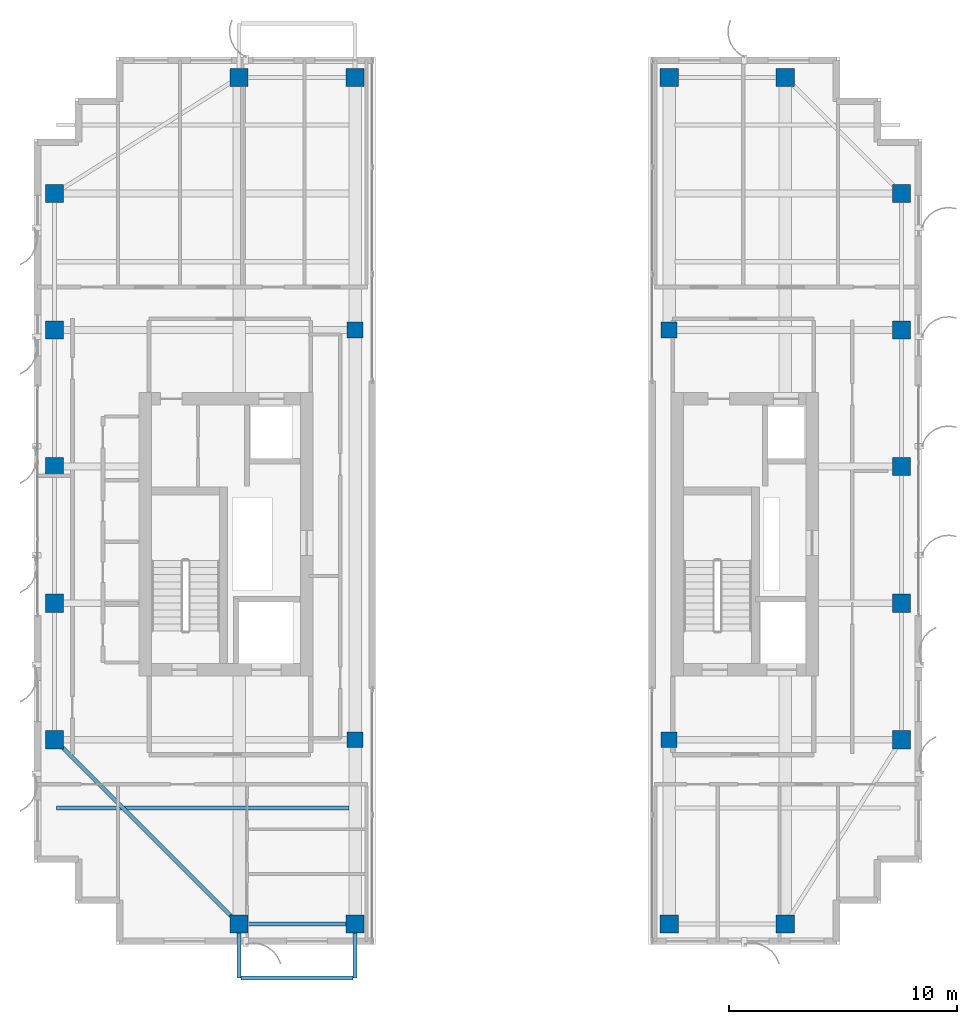
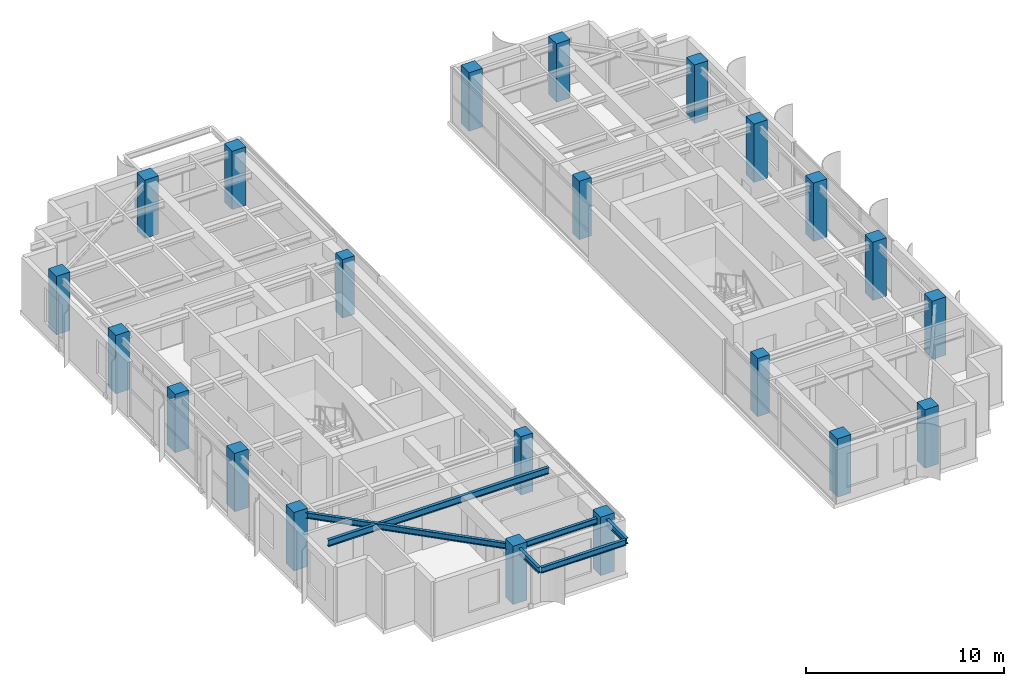
# One storey, part 1 of 22: 22 columns, 6 beams.
"""IFC4 building model written with IfcOpenShell, lengths in metres."""

from ifc_helpers import new_model, si_unit, direction, frame, origin, origin_2d, place, context, subcontext, project, spatial, rectangle, i_section, extrude, source, transform, mapped, material, material_profile, profile_set, type_object, element, save


model = new_model("IFC4")

# Units and contexts
model_context = context("Model", 3, precision=1e-05, world=origin(), true_north=direction((0.0, 1.0)))
body_context = subcontext(model_context, "Body", "Model", "MODEL_VIEW")
ifc_project = project(units=[si_unit("LENGTHUNIT", "METRE"), si_unit("AREAUNIT", "SQUARE_METRE"), si_unit("VOLUMEUNIT", "CUBIC_METRE"), si_unit("PLANEANGLEUNIT", "RADIAN"), si_unit("MASSUNIT", "GRAM", prefix="KILO")], contexts=[model_context])

# Site, building, storey
site_placement = place(None, origin())
site = spatial("IfcSite", under=ifc_project, at=site_placement, CompositionType="ELEMENT")
building_placement = place(site_placement, origin())
building = spatial("IfcBuilding", under=site, at=building_placement, Name="Khoralis Quay Care Tower", CompositionType="ELEMENT")
storey_placement = place(building_placement, frame((0.0, 0.0, 256.5)))
storey = spatial("IfcBuildingStorey", under=building, at=storey_placement, Name="L67", CompositionType="ELEMENT", Elevation=256.5)

# Columns
ifc_material_1 = material(Name="Concrete C50/60", Category="concrete")
ifc_material_profile_1 = material_profile(ifc_material_1, rectangle(XDim=0.800048828125, YDim=0.800048828125, at=origin_2d()), Name="Concrete C50/60")
ifc_profile_set_1 = profile_set([ifc_material_profile_1], Name="Concrete C50/60")
column_type_1 = type_object("IfcColumnType", Name="COL-C800", PredefinedType="COLUMN", material=ifc_profile_set_1)
shared_shape_1 = source(origin(), body_context, "Body", "SweptSolid", [
    extrude(rectangle(XDim=0.800048828125, YDim=0.800048828125, at=origin_2d()), origin(), (0.0, 0.0, 1.0), 3.60009765625),
])
for number, where, z_axis, x_axis, name in (
    (1, (12.0, 3.89990234375, 0.0), (0.0, 0.0, 1.0), (1.0, 0.0, 0.0), "COL-TWR-L67-01"),
    (2, (12.0, 41.10009765625, 0.0), (0.0, 0.0, 1.0), (1.0, 0.0, 0.0), "COL-TWR-L67-02"),
    (3, (17.10009765625, 3.89990234375, 0.0), (0.0, 0.0, 1.0), (1.0, 0.0, 0.0), "COL-TWR-L67-03"),
    (4, (17.10009765625, 41.10009765625, 0.0), (0.0, 0.0, 1.0), (1.0, 0.0, 0.0), "COL-TWR-L67-04"),
    (5, (30.89990234375, 3.89990234375, 0.0), (0.0, 0.0, 1.0), (1.0, 0.0, 0.0), "COL-TWR-L67-05"),
    (6, (30.89990234375, 41.10009765625, 0.0), (0.0, 0.0, 1.0), (1.0, 0.0, 0.0), "COL-TWR-L67-06"),
    (7, (36.0, 3.89990234375, 0.0), (0.0, 0.0, 1.0), (1.0, 0.0, 0.0), "COL-TWR-L67-07"),
    (8, (36.0, 41.10009765625, 0.0), (0.0, 0.0, 1.0), (1.0, 0.0, 0.0), "COL-TWR-L67-08"),
    (9, (3.89990234375, 12.0, 0.0), (0.0, 0.0, 1.0), (1.0, 0.0, 0.0), "COL-TWR-L67-09"),
    (10, (41.10009765625, 12.0, 0.0), (0.0, 0.0, 1.0), (1.0, 0.0, 0.0), "COL-TWR-L67-10"),
    (11, (3.89990234375, 18.0, 0.0), (0.0, 0.0, 1.0), (1.0, 0.0, 0.0), "COL-TWR-L67-11"),
    (12, (41.10009765625, 18.0, 0.0), (0.0, 0.0, 1.0), (1.0, 0.0, 0.0), "COL-TWR-L67-12"),
    (13, (3.89990234375, 24.0, 0.0), (0.0, 0.0, 1.0), (1.0, 0.0, 0.0), "COL-TWR-L67-13"),
    (14, (41.10009765625, 24.0, 0.0), (0.0, 0.0, 1.0), (1.0, 0.0, 0.0), "COL-TWR-L67-14"),
    (15, (3.89990234375, 30.0, 0.0), (0.0, 0.0, 1.0), (1.0, 0.0, 0.0), "COL-TWR-L67-15"),
    (16, (41.10009765625, 30.0, 0.0), (0.0, 0.0, 1.0), (1.0, 0.0, 0.0), "COL-TWR-L67-16"),
    (17, (3.89990234375, 36.0, 0.0), (0.0, 0.0, 1.0), (1.0, 0.0, 0.0), "COL-TWR-L67-17"),
    (18, (41.10009765625, 36.0, 0.0), (0.0, 0.0, 1.0), (1.0, 0.0, 0.0), "COL-TWR-L67-18"),
):
    element("IfcColumn", number, at=place(storey_placement, frame(where, z_axis=z_axis, x_axis=x_axis)), inside=storey, type_object=column_type_1, Name=name, PredefinedType="COLUMN", context=body_context, shape_type="MappedRepresentation", body=[
        mapped(shared_shape_1, transform((0.0, 0.0, 0.0), scale=1.0)),
    ])
ifc_material_profile_2 = material_profile(ifc_material_1, rectangle(XDim=0.699951171875, YDim=0.699951171875, at=origin_2d()), Name="Concrete C50/60")
ifc_profile_set_2 = profile_set([ifc_material_profile_2], Name="Concrete C50/60")
column_type_2 = type_object("IfcColumnType", Name="COL-C700", PredefinedType="COLUMN", material=ifc_profile_set_2)
shared_shape_2 = source(origin(), body_context, "Body", "SweptSolid", [
    extrude(rectangle(XDim=0.699951171875, YDim=0.699951171875, at=origin_2d()), origin(), (0.0, 0.0, 1.0), 3.60009765625),
])
for number, where, z_axis, x_axis, name in (
    (19, (17.10009765625, 12.0, 0.0), (0.0, 0.0, 1.0), (1.0, 0.0, 0.0), "COL-TWR-L67-19"),
    (20, (17.10009765625, 30.0, 0.0), (0.0, 0.0, 1.0), (1.0, 0.0, 0.0), "COL-TWR-L67-20"),
    (21, (30.89990234375, 12.0, 0.0), (0.0, 0.0, 1.0), (1.0, 0.0, 0.0), "COL-TWR-L67-21"),
    (22, (30.89990234375, 30.0, 0.0), (0.0, 0.0, 1.0), (1.0, 0.0, 0.0), "COL-TWR-L67-22"),
):
    element("IfcColumn", number, at=place(storey_placement, frame(where, z_axis=z_axis, x_axis=x_axis)), inside=storey, type_object=column_type_2, Name=name, PredefinedType="COLUMN", context=body_context, shape_type="MappedRepresentation", body=[
        mapped(shared_shape_2, transform((0.0, 0.0, 0.0), scale=1.0)),
    ])

# Beams
ifc_material_2 = material(Name="Steel S355", Category="steel")
ifc_material_profile_3 = material_profile(ifc_material_2, i_section(OverallWidth=0.169921875, OverallDepth=0.360107421875, WebThickness=0.008056640625, FlangeThickness=0.0126953125, FilletRadius=0.01806640625, at=origin_2d()), Name="Steel S355")
ifc_profile_set_3 = profile_set([ifc_material_profile_3], Name="Steel S355")
beam_type_1 = type_object("IfcBeamType", Name="BM-IPE360", PredefinedType="SPANDREL", material=ifc_profile_set_3)
shared_shape_3 = source(origin(), body_context, "Body", "SweptSolid", [
    extrude(i_section(OverallWidth=0.169921875, OverallDepth=0.360107421875, WebThickness=0.008056640625, FlangeThickness=0.0126953125, FilletRadius=0.01806640625, at=origin_2d()), origin(), (0.0, 0.0, 1.0), 5.10009765625),
])
beam_1_placement = place(storey_placement, frame((12.0, 3.89990234375, 3.179931640625), z_axis=(1.0, 0.0, 0.0), x_axis=(0.0, 1.0, 0.0)))
element("IfcBeam", 23, at=beam_1_placement, inside=storey, type_object=beam_type_1, Name="BM-TSP-L67-01", PredefinedType="SPANDREL", context=body_context, shape_type="MappedRepresentation", body=[
    mapped(shared_shape_3, transform((0.0, 0.0, 0.0), scale=1.0)),
])
shared_shape_4 = source(origin(), body_context, "Body", "SweptSolid", [
    extrude(i_section(OverallWidth=0.169921875, OverallDepth=0.360107421875, WebThickness=0.008056640625, FlangeThickness=0.0126953125, FilletRadius=0.01806640625, at=origin_2d()), origin(), (0.0, 0.0, 1.0), 11.455322265625),
])
beam_2_placement = place(storey_placement, frame((12.0, 3.89990234375, 3.179931640625), z_axis=(-0.707106781187, 0.707106781187, 0.0), x_axis=(-0.707106781187, -0.707106781187, 0.0)))
element("IfcBeam", 24, at=beam_2_placement, inside=storey, type_object=beam_type_1, Name="BM-TCR-L67-13", PredefinedType="SPANDREL", context=body_context, shape_type="MappedRepresentation", body=[
    mapped(shared_shape_4, transform((0.0, 0.0, 0.0), scale=1.0)),
])
ifc_material_profile_4 = material_profile(ifc_material_2, i_section(OverallWidth=0.177978515625, OverallDepth=0.406982421875, WebThickness=0.0078125, FlangeThickness=0.0126953125, FilletRadius=0.012939453125, at=origin_2d()), Name="Steel S355")
ifc_profile_set_4 = profile_set([ifc_material_profile_4], Name="Steel S355")
beam_type_2 = type_object("IfcBeamType", Name="BM-W410X60", PredefinedType="JOIST", material=ifc_profile_set_4)
shared_shape_5 = source(origin(), body_context, "Body", "SweptSolid", [
    extrude(i_section(OverallWidth=0.177978515625, OverallDepth=0.406982421875, WebThickness=0.0078125, FlangeThickness=0.0126953125, FilletRadius=0.012939453125, at=origin_2d()), origin(), (0.0, 0.0, 1.0), 12.865966796875),
])
beam_3_placement = place(storey_placement, frame((3.970947265625, 9.0, 3.156494140625), z_axis=(1.0, 0.0, 0.0), x_axis=(0.0, 1.0, 0.0)))
element("IfcBeam", 25, at=beam_3_placement, inside=storey, type_object=beam_type_2, Name="BM-TJS-L67-17", PredefinedType="JOIST", context=body_context, shape_type="MappedRepresentation", body=[
    mapped(shared_shape_5, transform((0.0, 0.0, 0.0), scale=1.0)),
])
shared_shape_6 = source(origin(), body_context, "Body", "SweptSolid", [
    extrude(i_section(OverallWidth=0.169921875, OverallDepth=0.360107421875, WebThickness=0.008056640625, FlangeThickness=0.0126953125, FilletRadius=0.01806640625, at=origin_2d()), origin(), (0.0, 0.0, 1.0), 2.119873046875),
])
for number, where, z_axis, x_axis, name in (
    (26, (12.0, 3.64990234375, 3.18408203125), (0.0, -1.0, 0.0), (1.0, 0.0, 0.0), "L68 Balcony Cantilever Outrigger Beam 1"),
    (27, (17.10009765625, 3.64990234375, 3.18408203125), (0.0, -1.0, 0.0), (1.0, 0.0, 0.0), "L68 Balcony Cantilever Outrigger Beam 2"),
):
    element("IfcBeam", number, at=place(storey_placement, frame(where, z_axis=z_axis, x_axis=x_axis)), inside=storey, type_object=beam_type_1, Name=name, PredefinedType="SPANDREL", context=body_context, shape_type="MappedRepresentation", body=[
        mapped(shared_shape_6, transform((0.0, 0.0, 0.0), scale=1.0)),
    ])
shared_shape_7 = source(origin(), body_context, "Body", "SweptSolid", [
    extrude(i_section(OverallWidth=0.169921875, OverallDepth=0.360107421875, WebThickness=0.008056640625, FlangeThickness=0.0126953125, FilletRadius=0.01806640625, at=origin_2d()), origin(), (0.0, 0.0, 1.0), 4.924072265625),
])
beam_4_placement = place(storey_placement, frame((12.087890625, 1.530029296875, 3.18408203125), z_axis=(1.0, 0.0, 0.0), x_axis=(0.0, 1.0, 0.0)))
element("IfcBeam", 28, at=beam_4_placement, inside=storey, type_object=beam_type_1, Name="L68 Balcony Edge Spandrel Beam P1E0", PredefinedType="SPANDREL", context=body_context, shape_type="MappedRepresentation", body=[
    mapped(shared_shape_7, transform((0.0, 0.0, 0.0), scale=1.0)),
])

save(model, "model.ifc")
